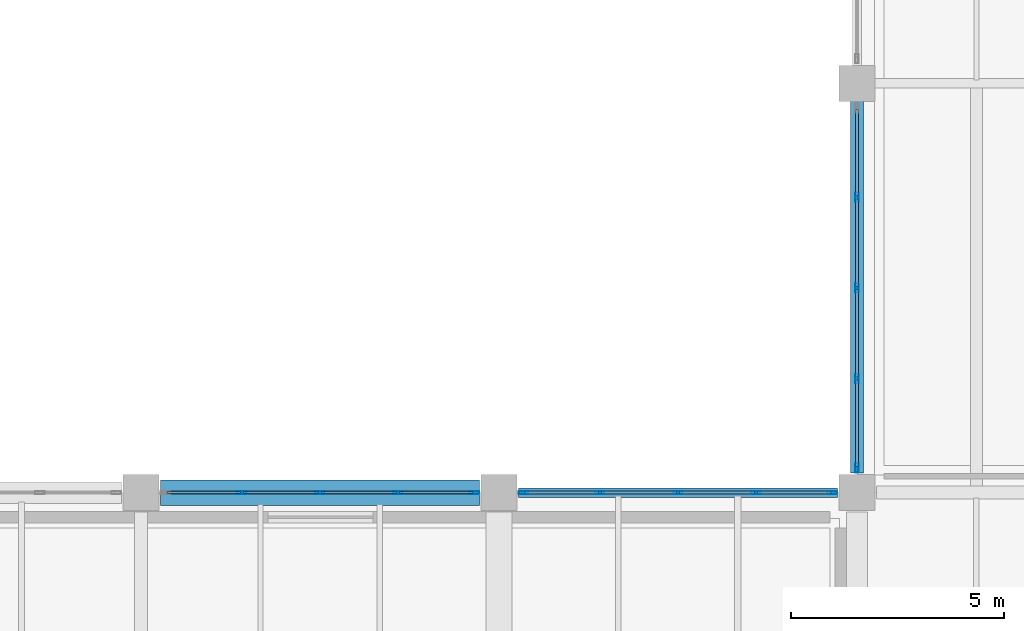
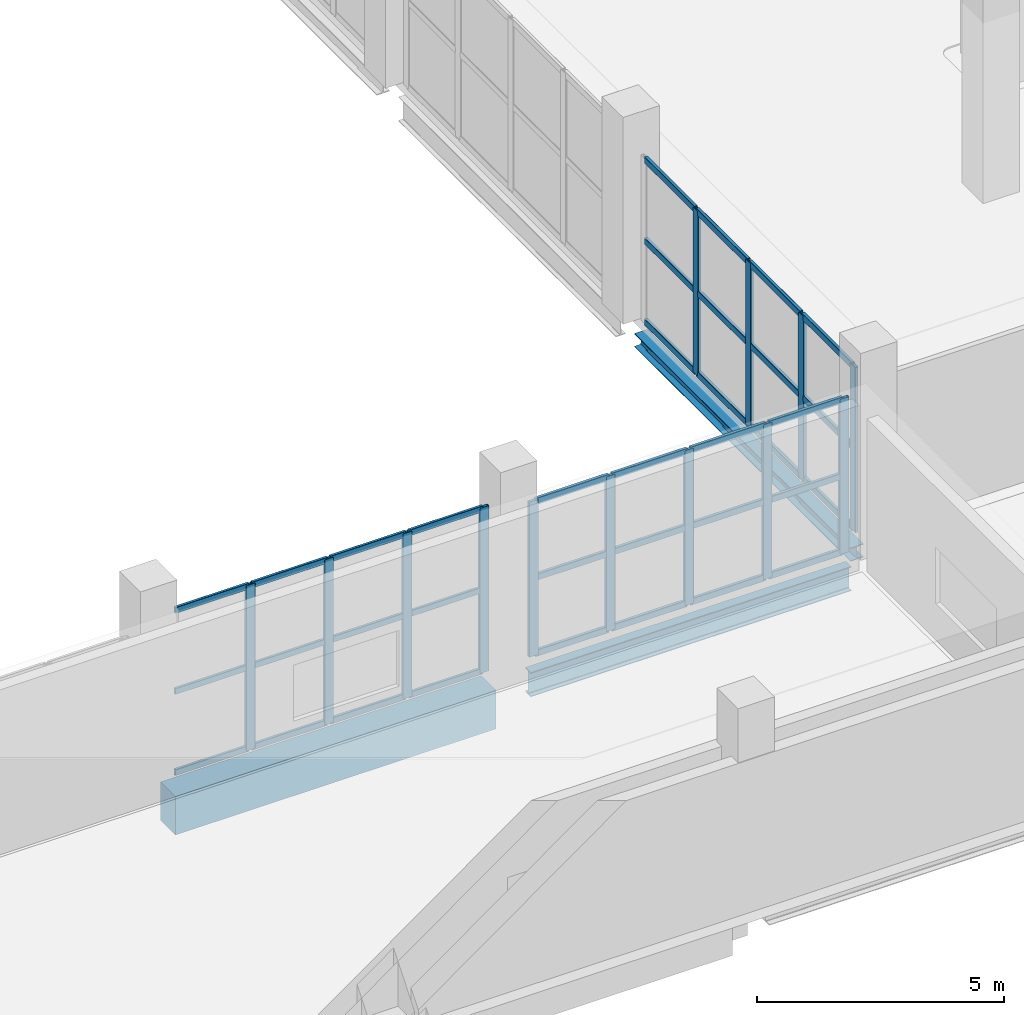
# One storey, part 30 of 66: 49 members, 3 beams, 3 elements without a shape of their own.
"""IFC4 building model written with IfcOpenShell, lengths in metres."""

from ifc_helpers import new_model, si_unit, direction, frame, origin, origin_2d, place, context, subcontext, project, spatial, rectangle, hollow_rectangle, i_section, extrude, material, layer, layer_set, material_profile, profile_set, type_object, element, aggregate, save


model = new_model("IFC4")

# Units and contexts
model_context = context("Model", 3, precision=1e-05, world=origin(), true_north=direction((0.0, 1.0)))
body_context = subcontext(model_context, "Body", "Model", "MODEL_VIEW")
ifc_project = project(units=[si_unit("LENGTHUNIT", "METRE"), si_unit("AREAUNIT", "SQUARE_METRE"), si_unit("VOLUMEUNIT", "CUBIC_METRE"), si_unit("PLANEANGLEUNIT", "RADIAN"), si_unit("MASSUNIT", "GRAM", prefix="KILO")], contexts=[model_context])

# Site, building, storey
site_placement = place(None, origin())
site = spatial("IfcSite", under=ifc_project, at=site_placement, CompositionType="ELEMENT")
building_placement = place(site_placement, origin())
building = spatial("IfcBuilding", under=site, at=building_placement, Name="Zulmaris Art Gallery", CompositionType="ELEMENT")
storey_placement = place(building_placement, frame((0.0, 0.0, 5.39990234375)))
storey = spatial("IfcBuildingStorey", under=building, at=storey_placement, Name="L01", CompositionType="ELEMENT", Elevation=5.39990234375)

# Beams
ifc_material_1 = material(Name="Steel S355J2", Category="steel")
ifc_material_profile_1 = material_profile(ifc_material_1, i_section(OverallWidth=0.219970703125, OverallDepth=0.60009765625, WebThickness=0.011962890625, FlangeThickness=0.01904296875, FilletRadius=0.02392578125, at=origin_2d()), Name="IPE 600")
ifc_profile_set_1 = profile_set([ifc_material_profile_1], Name="Steel S355J2")
beam_type_1 = type_object("IfcBeamType", Name="BEAM-BM07", PredefinedType="BEAM", material=ifc_profile_set_1)
beam_1_placement = place(storey_placement, frame((175.659912109375, 31.199951171875, -0.6298828125), z_axis=(1.0, 0.0, 0.0), x_axis=(0.0, 1.0, 0.0)))
element("IfcBeam", 1, at=beam_1_placement, inside=storey, type_object=beam_type_1, Name="L01 X-girder (175.2..183.6, y=31.2)", PredefinedType="BEAM", context=body_context, shape_type="SweptSolid", body=[
    extrude(i_section(OverallWidth=0.219970703125, OverallDepth=0.60009765625, WebThickness=0.011962890625, FlangeThickness=0.01904296875, FilletRadius=0.02392578125, at=origin_2d()), origin(), (0.0, 0.0, 1.0), 7.47998046875),
])
ifc_material_profile_2 = material_profile(ifc_material_1, i_section(OverallWidth=0.300048828125, OverallDepth=0.330078125, WebThickness=0.009521484375, FlangeThickness=0.0166015625, FilletRadius=0.027099609375, at=origin_2d()), Name="HEA 340")
ifc_profile_set_2 = profile_set([ifc_material_profile_2], Name="Steel S355J2")
beam_type_2 = type_object("IfcBeamType", Name="BEAM-BM08", PredefinedType="BEAM", material=ifc_profile_set_2)
beam_2_placement = place(storey_placement, frame((183.60009765625, 31.659912109375, -0.494873046875), z_axis=(0.0, 1.0, 0.0), x_axis=(-1.0, 0.0, 0.0)))
element("IfcBeam", 2, at=beam_2_placement, inside=storey, type_object=beam_type_2, Name="L01 Y-girder (x=183.6, 31.2..40.8)", PredefinedType="BEAM", context=body_context, shape_type="SweptSolid", body=[
    extrude(i_section(OverallWidth=0.300048828125, OverallDepth=0.330078125, WebThickness=0.009521484375, FlangeThickness=0.0166015625, FilletRadius=0.027099609375, at=origin_2d()), origin(), (0.0, 0.0, 1.0), 8.72998046875),
])
ifc_material_2 = material(Name="Concrete C40/50", Category="concrete")
ifc_material_profile_3 = material_profile(ifc_material_2, rectangle(XDim=0.60009765625, YDim=0.949951171875, at=origin_2d()), Name="RC 600x950")
ifc_profile_set_3 = profile_set([ifc_material_profile_3], Name="Concrete C40/50")
beam_type_3 = type_object("IfcBeamType", Name="BEAM-BM22", PredefinedType="BEAM", material=ifc_profile_set_3)
beam_3_placement = place(storey_placement, frame((167.260009765625, 31.199951171875, -0.804931640625), z_axis=(1.0, 0.0, 0.0), x_axis=(0.0, 1.0, 0.0)))
element("IfcBeam", 3, at=beam_3_placement, inside=storey, type_object=beam_type_3, Name="L01 X-girder (166.8..175.2, y=31.2)", PredefinedType="BEAM", context=body_context, shape_type="SweptSolid", body=[
    extrude(rectangle(XDim=0.60009765625, YDim=0.949951171875, at=origin_2d()), origin(), (0.0, 0.0, 1.0), 7.47998046875),
])

# Curtain wall, members
ifc_material_3 = material(Name="Courtyard Artists Studio Curtain Wall", Category="aluminium")
ifc_layer = layer(ifc_material_3, 0.179931640625)
ifc_layer_set = layer_set([ifc_layer], Name="Courtyard Artists Studio Curtain Wall")
curtain_wall_type = type_object("IfcCurtainWallType", Name="CW-CW04", PredefinedType="NOTDEFINED", material=ifc_layer_set)
curtain_wall_1_placement = place(storey_placement, origin())
curtain_wall_1 = element("IfcCurtainWall", 4, at=curtain_wall_1_placement, inside=storey, type_object=curtain_wall_type, Name="L01 curtain wall 124", PredefinedType="NOTDEFINED")
ifc_material_4 = material(Name="Anodised Bronze Aluminium", Category="aluminium")
ifc_material_profile_4 = material_profile(ifc_material_4, hollow_rectangle(XDim=0.074951171875, YDim=0.219970703125, WallThickness=0.0048828125, InnerFilletRadius=0.007568359375, OuterFilletRadius=0.012451171875, at=origin_2d()), Name="ALU 75x220x5")
ifc_profile_set_4 = profile_set([ifc_material_profile_4], Name="Anodised Bronze Aluminium")
member_type_1 = type_object("IfcMemberType", Name="CWMUL-02", PredefinedType="MULLION", material=ifc_profile_set_4)
member_1_placement = place(storey_placement, frame((183.60009765625, 38.1298828125, 0.0), z_axis=(0.0, 0.0, 1.0), x_axis=(1.0, 0.0, 0.0)))
member_1 = element("IfcMember", 5, at=member_1_placement, type_object=member_type_1, Name="CW04 mullion 2", PredefinedType="MULLION", context=body_context, shape_type="SweptSolid", body=[
    extrude(hollow_rectangle(XDim=0.074951171875, YDim=0.219970703125, WallThickness=0.0048828125, InnerFilletRadius=0.007568359375, OuterFilletRadius=0.012451171875, at=origin_2d()), origin(), (0.0, 0.0, 1.0), 4.070068359375),
])
member_2_placement = place(storey_placement, frame((183.60009765625, 36.0, 0.0), z_axis=(0.0, 0.0, 1.0), x_axis=(1.0, 0.0, 0.0)))
member_2 = element("IfcMember", 6, at=member_2_placement, type_object=member_type_1, Name="CW04 mullion 3", PredefinedType="MULLION", context=body_context, shape_type="SweptSolid", body=[
    extrude(hollow_rectangle(XDim=0.074951171875, YDim=0.219970703125, WallThickness=0.0048828125, InnerFilletRadius=0.007568359375, OuterFilletRadius=0.012451171875, at=origin_2d()), origin(), (0.0, 0.0, 1.0), 4.070068359375),
])
member_3_placement = place(storey_placement, frame((183.60009765625, 33.8701171875, 0.0), z_axis=(0.0, 0.0, 1.0), x_axis=(1.0, 0.0, 0.0)))
member_3 = element("IfcMember", 7, at=member_3_placement, type_object=member_type_1, Name="CW04 mullion 4", PredefinedType="MULLION", context=body_context, shape_type="SweptSolid", body=[
    extrude(hollow_rectangle(XDim=0.074951171875, YDim=0.219970703125, WallThickness=0.0048828125, InnerFilletRadius=0.007568359375, OuterFilletRadius=0.012451171875, at=origin_2d()), origin(), (0.0, 0.0, 1.0), 4.070068359375),
])
member_4_placement = place(storey_placement, frame((183.60009765625, 31.777587890625, 0.0), z_axis=(0.0, 0.0, 1.0), x_axis=(1.0, 0.0, 0.0)))
member_4 = element("IfcMember", 8, at=member_4_placement, type_object=member_type_1, Name="CW04 mullion 5", PredefinedType="MULLION", context=body_context, shape_type="SweptSolid", body=[
    extrude(hollow_rectangle(XDim=0.074951171875, YDim=0.219970703125, WallThickness=0.0048828125, InnerFilletRadius=0.007568359375, OuterFilletRadius=0.012451171875, at=origin_2d()), origin(), (0.0, 0.0, 1.0), 4.070068359375),
])

curtain_wall_2_placement = place(storey_placement, origin())
curtain_wall_2 = element("IfcCurtainWall", 9, at=curtain_wall_2_placement, inside=storey, type_object=curtain_wall_type, Name="L01 curtain wall 132", PredefinedType="NOTDEFINED")
member_5_placement = place(storey_placement, frame((169.169921875, 31.199951171875, 0.0), z_axis=(0.0, 0.0, 1.0), x_axis=(0.0, 1.0, 0.0)))
member_5 = element("IfcMember", 10, at=member_5_placement, type_object=member_type_1, Name="CW04 mullion 2", PredefinedType="MULLION", context=body_context, shape_type="SweptSolid", body=[
    extrude(hollow_rectangle(XDim=0.074951171875, YDim=0.219970703125, WallThickness=0.0048828125, InnerFilletRadius=0.007568359375, OuterFilletRadius=0.012451171875, at=origin_2d()), origin(), (0.0, 0.0, 1.0), 4.0751953125),
])
member_6_placement = place(storey_placement, frame((171.0, 31.199951171875, 0.0), z_axis=(0.0, 0.0, 1.0), x_axis=(0.0, 1.0, 0.0)))
member_6 = element("IfcMember", 11, at=member_6_placement, type_object=member_type_1, Name="CW04 mullion 3", PredefinedType="MULLION", context=body_context, shape_type="SweptSolid", body=[
    extrude(hollow_rectangle(XDim=0.074951171875, YDim=0.219970703125, WallThickness=0.0048828125, InnerFilletRadius=0.007568359375, OuterFilletRadius=0.012451171875, at=origin_2d()), origin(), (0.0, 0.0, 1.0), 4.0751953125),
])
member_7_placement = place(storey_placement, frame((172.830078125, 31.199951171875, 0.0), z_axis=(0.0, 0.0, 1.0), x_axis=(0.0, 1.0, 0.0)))
member_7 = element("IfcMember", 12, at=member_7_placement, type_object=member_type_1, Name="CW04 mullion 4", PredefinedType="MULLION", context=body_context, shape_type="SweptSolid", body=[
    extrude(hollow_rectangle(XDim=0.074951171875, YDim=0.219970703125, WallThickness=0.0048828125, InnerFilletRadius=0.007568359375, OuterFilletRadius=0.012451171875, at=origin_2d()), origin(), (0.0, 0.0, 1.0), 4.0751953125),
])
member_8_placement = place(storey_placement, frame((174.62255859375, 31.199951171875, 0.0), z_axis=(0.0, 0.0, 1.0), x_axis=(0.0, 1.0, 0.0)))
member_8 = element("IfcMember", 13, at=member_8_placement, type_object=member_type_1, Name="CW04 mullion 5", PredefinedType="MULLION", context=body_context, shape_type="SweptSolid", body=[
    extrude(hollow_rectangle(XDim=0.074951171875, YDim=0.219970703125, WallThickness=0.0048828125, InnerFilletRadius=0.007568359375, OuterFilletRadius=0.012451171875, at=origin_2d()), origin(), (0.0, 0.0, 1.0), 4.0751953125),
])

curtain_wall_3_placement = place(storey_placement, origin())
curtain_wall_3 = element("IfcCurtainWall", 14, at=curtain_wall_3_placement, inside=storey, type_object=curtain_wall_type, Name="L01 curtain wall 134", PredefinedType="NOTDEFINED")
member_9_placement = place(storey_placement, frame((175.777587890625, 31.199951171875, 0.0), z_axis=(0.0, 0.0, 1.0), x_axis=(0.0, 1.0, 0.0)))
member_9 = element("IfcMember", 15, at=member_9_placement, type_object=member_type_1, Name="CW04 mullion 1", PredefinedType="MULLION", context=body_context, shape_type="SweptSolid", body=[
    extrude(hollow_rectangle(XDim=0.074951171875, YDim=0.219970703125, WallThickness=0.0048828125, InnerFilletRadius=0.007568359375, OuterFilletRadius=0.012451171875, at=origin_2d()), origin(), (0.0, 0.0, 1.0), 3.820068359375),
])
member_10_placement = place(storey_placement, frame((177.570068359375, 31.199951171875, 0.0), z_axis=(0.0, 0.0, 1.0), x_axis=(0.0, 1.0, 0.0)))
member_10 = element("IfcMember", 16, at=member_10_placement, type_object=member_type_1, Name="CW04 mullion 2", PredefinedType="MULLION", context=body_context, shape_type="SweptSolid", body=[
    extrude(hollow_rectangle(XDim=0.074951171875, YDim=0.219970703125, WallThickness=0.0048828125, InnerFilletRadius=0.007568359375, OuterFilletRadius=0.012451171875, at=origin_2d()), origin(), (0.0, 0.0, 1.0), 3.820068359375),
])
member_11_placement = place(storey_placement, frame((179.39990234375, 31.199951171875, 0.0), z_axis=(0.0, 0.0, 1.0), x_axis=(0.0, 1.0, 0.0)))
member_11 = element("IfcMember", 17, at=member_11_placement, type_object=member_type_1, Name="CW04 mullion 3", PredefinedType="MULLION", context=body_context, shape_type="SweptSolid", body=[
    extrude(hollow_rectangle(XDim=0.074951171875, YDim=0.219970703125, WallThickness=0.0048828125, InnerFilletRadius=0.007568359375, OuterFilletRadius=0.012451171875, at=origin_2d()), origin(), (0.0, 0.0, 1.0), 3.820068359375),
])
member_12_placement = place(storey_placement, frame((181.22998046875, 31.199951171875, 0.0), z_axis=(0.0, 0.0, 1.0), x_axis=(0.0, 1.0, 0.0)))
member_12 = element("IfcMember", 18, at=member_12_placement, type_object=member_type_1, Name="CW04 mullion 4", PredefinedType="MULLION", context=body_context, shape_type="SweptSolid", body=[
    extrude(hollow_rectangle(XDim=0.074951171875, YDim=0.219970703125, WallThickness=0.0048828125, InnerFilletRadius=0.007568359375, OuterFilletRadius=0.012451171875, at=origin_2d()), origin(), (0.0, 0.0, 1.0), 3.820068359375),
])
member_13_placement = place(storey_placement, frame((183.0224609375, 31.199951171875, 0.0), z_axis=(0.0, 0.0, 1.0), x_axis=(0.0, 1.0, 0.0)))
member_13 = element("IfcMember", 19, at=member_13_placement, type_object=member_type_1, Name="CW04 mullion 5", PredefinedType="MULLION", context=body_context, shape_type="SweptSolid", body=[
    extrude(hollow_rectangle(XDim=0.074951171875, YDim=0.219970703125, WallThickness=0.0048828125, InnerFilletRadius=0.007568359375, OuterFilletRadius=0.012451171875, at=origin_2d()), origin(), (0.0, 0.0, 1.0), 3.820068359375),
])

# Member
ifc_material_profile_5 = material_profile(ifc_material_4, hollow_rectangle(XDim=0.06494140625, YDim=0.14990234375, WallThickness=0.00390625, InnerFilletRadius=0.006103515625, OuterFilletRadius=0.010009765625, at=origin_2d()), Name="ALU 65x150x4")
ifc_profile_set_5 = profile_set([ifc_material_profile_5], Name="Anodised Bronze Aluminium")
member_type_2 = type_object("IfcMemberType", Name="CWTRN-01", PredefinedType="USERDEFINED", material=ifc_profile_set_5)
member_14_placement = place(storey_placement, frame((167.4150390625, 31.199951171875, 0.03759765625), z_axis=(1.0, 0.0, 0.0), x_axis=(0.0, 1.0, 0.0)))
member_14 = element("IfcMember", 20, at=member_14_placement, type_object=member_type_2, Name="CW04 transom 1.1", ObjectType="TRANSOM", PredefinedType="USERDEFINED", context=body_context, shape_type="SweptSolid", body=[
    extrude(hollow_rectangle(XDim=0.06494140625, YDim=0.14990234375, WallThickness=0.00390625, InnerFilletRadius=0.006103515625, OuterFilletRadius=0.010009765625, at=origin_2d()), origin(), (0.0, 0.0, 1.0), 1.717529296875),
])

member_15_placement = place(storey_placement, frame((167.4150390625, 31.199951171875, 2.03759765625), z_axis=(1.0, 0.0, 0.0), x_axis=(0.0, 1.0, 0.0)))
member_15 = element("IfcMember", 21, at=member_15_placement, type_object=member_type_2, Name="CW04 transom 1.2", ObjectType="TRANSOM", PredefinedType="USERDEFINED", context=body_context, shape_type="SweptSolid", body=[
    extrude(hollow_rectangle(XDim=0.06494140625, YDim=0.14990234375, WallThickness=0.00390625, InnerFilletRadius=0.006103515625, OuterFilletRadius=0.010009765625, at=origin_2d()), origin(), (0.0, 0.0, 1.0), 1.717529296875),
])

member_16_placement = place(storey_placement, frame((167.4150390625, 31.199951171875, 4.03759765625), z_axis=(1.0, 0.0, 0.0), x_axis=(0.0, 1.0, 0.0)))
member_16 = element("IfcMember", 22, at=member_16_placement, type_object=member_type_2, Name="CW04 transom 1.3", ObjectType="TRANSOM", PredefinedType="USERDEFINED", context=body_context, shape_type="SweptSolid", body=[
    extrude(hollow_rectangle(XDim=0.06494140625, YDim=0.14990234375, WallThickness=0.00390625, InnerFilletRadius=0.006103515625, OuterFilletRadius=0.010009765625, at=origin_2d()), origin(), (0.0, 0.0, 1.0), 1.717529296875),
])

member_17_placement = place(storey_placement, frame((169.20751953125, 31.199951171875, 0.03759765625), z_axis=(1.0, 0.0, 0.0), x_axis=(0.0, 1.0, 0.0)))
member_17 = element("IfcMember", 23, at=member_17_placement, type_object=member_type_2, Name="CW04 transom 2.1", ObjectType="TRANSOM", PredefinedType="USERDEFINED", context=body_context, shape_type="SweptSolid", body=[
    extrude(hollow_rectangle(XDim=0.06494140625, YDim=0.14990234375, WallThickness=0.00390625, InnerFilletRadius=0.006103515625, OuterFilletRadius=0.010009765625, at=origin_2d()), origin(), (0.0, 0.0, 1.0), 1.7548828125),
])

member_18_placement = place(storey_placement, frame((169.20751953125, 31.199951171875, 2.03759765625), z_axis=(1.0, 0.0, 0.0), x_axis=(0.0, 1.0, 0.0)))
member_18 = element("IfcMember", 24, at=member_18_placement, type_object=member_type_2, Name="CW04 transom 2.2", ObjectType="TRANSOM", PredefinedType="USERDEFINED", context=body_context, shape_type="SweptSolid", body=[
    extrude(hollow_rectangle(XDim=0.06494140625, YDim=0.14990234375, WallThickness=0.00390625, InnerFilletRadius=0.006103515625, OuterFilletRadius=0.010009765625, at=origin_2d()), origin(), (0.0, 0.0, 1.0), 1.7548828125),
])

member_19_placement = place(storey_placement, frame((169.20751953125, 31.199951171875, 4.03759765625), z_axis=(1.0, 0.0, 0.0), x_axis=(0.0, 1.0, 0.0)))
member_19 = element("IfcMember", 25, at=member_19_placement, type_object=member_type_2, Name="CW04 transom 2.3", ObjectType="TRANSOM", PredefinedType="USERDEFINED", context=body_context, shape_type="SweptSolid", body=[
    extrude(hollow_rectangle(XDim=0.06494140625, YDim=0.14990234375, WallThickness=0.00390625, InnerFilletRadius=0.006103515625, OuterFilletRadius=0.010009765625, at=origin_2d()), origin(), (0.0, 0.0, 1.0), 1.7548828125),
])

member_20_placement = place(storey_placement, frame((171.03759765625, 31.199951171875, 0.03759765625), z_axis=(1.0, 0.0, 0.0), x_axis=(0.0, 1.0, 0.0)))
member_20 = element("IfcMember", 26, at=member_20_placement, type_object=member_type_2, Name="CW04 transom 3.1", ObjectType="TRANSOM", PredefinedType="USERDEFINED", context=body_context, shape_type="SweptSolid", body=[
    extrude(hollow_rectangle(XDim=0.06494140625, YDim=0.14990234375, WallThickness=0.00390625, InnerFilletRadius=0.006103515625, OuterFilletRadius=0.010009765625, at=origin_2d()), origin(), (0.0, 0.0, 1.0), 1.7548828125),
])

member_21_placement = place(storey_placement, frame((171.03759765625, 31.199951171875, 2.03759765625), z_axis=(1.0, 0.0, 0.0), x_axis=(0.0, 1.0, 0.0)))
member_21 = element("IfcMember", 27, at=member_21_placement, type_object=member_type_2, Name="CW04 transom 3.2", ObjectType="TRANSOM", PredefinedType="USERDEFINED", context=body_context, shape_type="SweptSolid", body=[
    extrude(hollow_rectangle(XDim=0.06494140625, YDim=0.14990234375, WallThickness=0.00390625, InnerFilletRadius=0.006103515625, OuterFilletRadius=0.010009765625, at=origin_2d()), origin(), (0.0, 0.0, 1.0), 1.7548828125),
])

member_22_placement = place(storey_placement, frame((171.03759765625, 31.199951171875, 4.03759765625), z_axis=(1.0, 0.0, 0.0), x_axis=(0.0, 1.0, 0.0)))
member_22 = element("IfcMember", 28, at=member_22_placement, type_object=member_type_2, Name="CW04 transom 3.3", ObjectType="TRANSOM", PredefinedType="USERDEFINED", context=body_context, shape_type="SweptSolid", body=[
    extrude(hollow_rectangle(XDim=0.06494140625, YDim=0.14990234375, WallThickness=0.00390625, InnerFilletRadius=0.006103515625, OuterFilletRadius=0.010009765625, at=origin_2d()), origin(), (0.0, 0.0, 1.0), 1.7548828125),
])

member_23_placement = place(storey_placement, frame((172.867431640625, 31.199951171875, 0.03759765625), z_axis=(1.0, 0.0, 0.0), x_axis=(0.0, 1.0, 0.0)))
member_23 = element("IfcMember", 29, at=member_23_placement, type_object=member_type_2, Name="CW04 transom 4.1", ObjectType="TRANSOM", PredefinedType="USERDEFINED", context=body_context, shape_type="SweptSolid", body=[
    extrude(hollow_rectangle(XDim=0.06494140625, YDim=0.14990234375, WallThickness=0.00390625, InnerFilletRadius=0.006103515625, OuterFilletRadius=0.010009765625, at=origin_2d()), origin(), (0.0, 0.0, 1.0), 1.717529296875),
])

member_24_placement = place(storey_placement, frame((172.867431640625, 31.199951171875, 2.03759765625), z_axis=(1.0, 0.0, 0.0), x_axis=(0.0, 1.0, 0.0)))
member_24 = element("IfcMember", 30, at=member_24_placement, type_object=member_type_2, Name="CW04 transom 4.2", ObjectType="TRANSOM", PredefinedType="USERDEFINED", context=body_context, shape_type="SweptSolid", body=[
    extrude(hollow_rectangle(XDim=0.06494140625, YDim=0.14990234375, WallThickness=0.00390625, InnerFilletRadius=0.006103515625, OuterFilletRadius=0.010009765625, at=origin_2d()), origin(), (0.0, 0.0, 1.0), 1.717529296875),
])

member_25_placement = place(storey_placement, frame((172.867431640625, 31.199951171875, 4.03759765625), z_axis=(1.0, 0.0, 0.0), x_axis=(0.0, 1.0, 0.0)))
member_25 = element("IfcMember", 31, at=member_25_placement, type_object=member_type_2, Name="CW04 transom 4.3", ObjectType="TRANSOM", PredefinedType="USERDEFINED", context=body_context, shape_type="SweptSolid", body=[
    extrude(hollow_rectangle(XDim=0.06494140625, YDim=0.14990234375, WallThickness=0.00390625, InnerFilletRadius=0.006103515625, OuterFilletRadius=0.010009765625, at=origin_2d()), origin(), (0.0, 0.0, 1.0), 1.717529296875),
])

aggregate(curtain_wall_2, [member_5, member_6, member_7, member_8, member_14, member_15, member_16, member_17, member_18, member_19, member_20, member_21, member_22, member_23, member_24, member_25])

ifc_material_profile_6 = material_profile(ifc_material_4, hollow_rectangle(XDim=0.074951171875, YDim=0.159912109375, WallThickness=0.00390625, InnerFilletRadius=0.006103515625, OuterFilletRadius=0.010009765625, at=origin_2d()), Name="ALU 75x160x4")
ifc_profile_set_6 = profile_set([ifc_material_profile_6], Name="Anodised Bronze Aluminium")
member_type_3 = type_object("IfcMemberType", Name="CWTRN-02", PredefinedType="USERDEFINED", material=ifc_profile_set_6)
member_26_placement = place(storey_placement, frame((183.60009765625, 40.18505859375, 0.03759765625), z_axis=(0.0, -1.0, 0.0), x_axis=(1.0, 0.0, 0.0)))
member_26 = element("IfcMember", 32, at=member_26_placement, type_object=member_type_3, Name="CW04 transom 1.1", ObjectType="TRANSOM", PredefinedType="USERDEFINED", context=body_context, shape_type="SweptSolid", body=[
    extrude(hollow_rectangle(XDim=0.074951171875, YDim=0.159912109375, WallThickness=0.00390625, InnerFilletRadius=0.006103515625, OuterFilletRadius=0.010009765625, at=origin_2d()), origin(), (0.0, 0.0, 1.0), 2.017578125),
])

member_27_placement = place(storey_placement, frame((183.60009765625, 40.18505859375, 2.03515625), z_axis=(0.0, -1.0, 0.0), x_axis=(1.0, 0.0, 0.0)))
member_27 = element("IfcMember", 33, at=member_27_placement, type_object=member_type_3, Name="CW04 transom 1.2", ObjectType="TRANSOM", PredefinedType="USERDEFINED", context=body_context, shape_type="SweptSolid", body=[
    extrude(hollow_rectangle(XDim=0.074951171875, YDim=0.159912109375, WallThickness=0.00390625, InnerFilletRadius=0.006103515625, OuterFilletRadius=0.010009765625, at=origin_2d()), origin(), (0.0, 0.0, 1.0), 2.017578125),
])

member_28_placement = place(storey_placement, frame((183.60009765625, 40.18505859375, 4.03271484375), z_axis=(0.0, -1.0, 0.0), x_axis=(1.0, 0.0, 0.0)))
member_28 = element("IfcMember", 34, at=member_28_placement, type_object=member_type_3, Name="CW04 transom 1.3", ObjectType="TRANSOM", PredefinedType="USERDEFINED", context=body_context, shape_type="SweptSolid", body=[
    extrude(hollow_rectangle(XDim=0.074951171875, YDim=0.159912109375, WallThickness=0.00390625, InnerFilletRadius=0.006103515625, OuterFilletRadius=0.010009765625, at=origin_2d()), origin(), (0.0, 0.0, 1.0), 2.017578125),
])

member_29_placement = place(storey_placement, frame((183.60009765625, 38.092529296875, 0.03759765625), z_axis=(0.0, -1.0, 0.0), x_axis=(1.0, 0.0, 0.0)))
member_29 = element("IfcMember", 35, at=member_29_placement, type_object=member_type_3, Name="CW04 transom 2.1", ObjectType="TRANSOM", PredefinedType="USERDEFINED", context=body_context, shape_type="SweptSolid", body=[
    extrude(hollow_rectangle(XDim=0.074951171875, YDim=0.159912109375, WallThickness=0.00390625, InnerFilletRadius=0.006103515625, OuterFilletRadius=0.010009765625, at=origin_2d()), origin(), (0.0, 0.0, 1.0), 2.054931640625),
])

member_30_placement = place(storey_placement, frame((183.60009765625, 38.092529296875, 2.03515625), z_axis=(0.0, -1.0, 0.0), x_axis=(1.0, 0.0, 0.0)))
member_30 = element("IfcMember", 36, at=member_30_placement, type_object=member_type_3, Name="CW04 transom 2.2", ObjectType="TRANSOM", PredefinedType="USERDEFINED", context=body_context, shape_type="SweptSolid", body=[
    extrude(hollow_rectangle(XDim=0.074951171875, YDim=0.159912109375, WallThickness=0.00390625, InnerFilletRadius=0.006103515625, OuterFilletRadius=0.010009765625, at=origin_2d()), origin(), (0.0, 0.0, 1.0), 2.054931640625),
])

member_31_placement = place(storey_placement, frame((183.60009765625, 38.092529296875, 4.03271484375), z_axis=(0.0, -1.0, 0.0), x_axis=(1.0, 0.0, 0.0)))
member_31 = element("IfcMember", 37, at=member_31_placement, type_object=member_type_3, Name="CW04 transom 2.3", ObjectType="TRANSOM", PredefinedType="USERDEFINED", context=body_context, shape_type="SweptSolid", body=[
    extrude(hollow_rectangle(XDim=0.074951171875, YDim=0.159912109375, WallThickness=0.00390625, InnerFilletRadius=0.006103515625, OuterFilletRadius=0.010009765625, at=origin_2d()), origin(), (0.0, 0.0, 1.0), 2.054931640625),
])

member_32_placement = place(storey_placement, frame((183.60009765625, 35.96240234375, 0.03759765625), z_axis=(0.0, -1.0, 0.0), x_axis=(1.0, 0.0, 0.0)))
member_32 = element("IfcMember", 38, at=member_32_placement, type_object=member_type_3, Name="CW04 transom 3.1", ObjectType="TRANSOM", PredefinedType="USERDEFINED", context=body_context, shape_type="SweptSolid", body=[
    extrude(hollow_rectangle(XDim=0.074951171875, YDim=0.159912109375, WallThickness=0.00390625, InnerFilletRadius=0.006103515625, OuterFilletRadius=0.010009765625, at=origin_2d()), origin(), (0.0, 0.0, 1.0), 2.054931640625),
])

member_33_placement = place(storey_placement, frame((183.60009765625, 35.96240234375, 2.03515625), z_axis=(0.0, -1.0, 0.0), x_axis=(1.0, 0.0, 0.0)))
member_33 = element("IfcMember", 39, at=member_33_placement, type_object=member_type_3, Name="CW04 transom 3.2", ObjectType="TRANSOM", PredefinedType="USERDEFINED", context=body_context, shape_type="SweptSolid", body=[
    extrude(hollow_rectangle(XDim=0.074951171875, YDim=0.159912109375, WallThickness=0.00390625, InnerFilletRadius=0.006103515625, OuterFilletRadius=0.010009765625, at=origin_2d()), origin(), (0.0, 0.0, 1.0), 2.054931640625),
])

member_34_placement = place(storey_placement, frame((183.60009765625, 35.96240234375, 4.03271484375), z_axis=(0.0, -1.0, 0.0), x_axis=(1.0, 0.0, 0.0)))
member_34 = element("IfcMember", 40, at=member_34_placement, type_object=member_type_3, Name="CW04 transom 3.3", ObjectType="TRANSOM", PredefinedType="USERDEFINED", context=body_context, shape_type="SweptSolid", body=[
    extrude(hollow_rectangle(XDim=0.074951171875, YDim=0.159912109375, WallThickness=0.00390625, InnerFilletRadius=0.006103515625, OuterFilletRadius=0.010009765625, at=origin_2d()), origin(), (0.0, 0.0, 1.0), 2.054931640625),
])

member_35_placement = place(storey_placement, frame((183.60009765625, 33.83251953125, 0.03759765625), z_axis=(0.0, -1.0, 0.0), x_axis=(1.0, 0.0, 0.0)))
member_35 = element("IfcMember", 41, at=member_35_placement, type_object=member_type_3, Name="CW04 transom 4.1", ObjectType="TRANSOM", PredefinedType="USERDEFINED", context=body_context, shape_type="SweptSolid", body=[
    extrude(hollow_rectangle(XDim=0.074951171875, YDim=0.159912109375, WallThickness=0.00390625, InnerFilletRadius=0.006103515625, OuterFilletRadius=0.010009765625, at=origin_2d()), origin(), (0.0, 0.0, 1.0), 2.017578125),
])

member_36_placement = place(storey_placement, frame((183.60009765625, 33.83251953125, 2.03515625), z_axis=(0.0, -1.0, 0.0), x_axis=(1.0, 0.0, 0.0)))
member_36 = element("IfcMember", 42, at=member_36_placement, type_object=member_type_3, Name="CW04 transom 4.2", ObjectType="TRANSOM", PredefinedType="USERDEFINED", context=body_context, shape_type="SweptSolid", body=[
    extrude(hollow_rectangle(XDim=0.074951171875, YDim=0.159912109375, WallThickness=0.00390625, InnerFilletRadius=0.006103515625, OuterFilletRadius=0.010009765625, at=origin_2d()), origin(), (0.0, 0.0, 1.0), 2.017578125),
])

member_37_placement = place(storey_placement, frame((183.60009765625, 33.83251953125, 4.03271484375), z_axis=(0.0, -1.0, 0.0), x_axis=(1.0, 0.0, 0.0)))
member_37 = element("IfcMember", 43, at=member_37_placement, type_object=member_type_3, Name="CW04 transom 4.3", ObjectType="TRANSOM", PredefinedType="USERDEFINED", context=body_context, shape_type="SweptSolid", body=[
    extrude(hollow_rectangle(XDim=0.074951171875, YDim=0.159912109375, WallThickness=0.00390625, InnerFilletRadius=0.006103515625, OuterFilletRadius=0.010009765625, at=origin_2d()), origin(), (0.0, 0.0, 1.0), 2.017578125),
])

aggregate(curtain_wall_1, [member_1, member_2, member_3, member_4, member_26, member_27, member_28, member_29, member_30, member_31, member_32, member_33, member_34, member_35, member_36, member_37])

member_38_placement = place(storey_placement, frame((175.81494140625, 31.199951171875, 0.03759765625), z_axis=(1.0, 0.0, 0.0), x_axis=(0.0, 1.0, 0.0)))
member_38 = element("IfcMember", 44, at=member_38_placement, type_object=member_type_3, Name="CW04 transom 1.1", ObjectType="TRANSOM", PredefinedType="USERDEFINED", context=body_context, shape_type="SweptSolid", body=[
    extrude(hollow_rectangle(XDim=0.074951171875, YDim=0.159912109375, WallThickness=0.00390625, InnerFilletRadius=0.006103515625, OuterFilletRadius=0.010009765625, at=origin_2d()), origin(), (0.0, 0.0, 1.0), 1.717529296875),
])

member_39_placement = place(storey_placement, frame((175.81494140625, 31.199951171875, 1.91015625), z_axis=(1.0, 0.0, 0.0), x_axis=(0.0, 1.0, 0.0)))
member_39 = element("IfcMember", 45, at=member_39_placement, type_object=member_type_3, Name="CW04 transom 1.2", ObjectType="TRANSOM", PredefinedType="USERDEFINED", context=body_context, shape_type="SweptSolid", body=[
    extrude(hollow_rectangle(XDim=0.074951171875, YDim=0.159912109375, WallThickness=0.00390625, InnerFilletRadius=0.006103515625, OuterFilletRadius=0.010009765625, at=origin_2d()), origin(), (0.0, 0.0, 1.0), 1.717529296875),
])

member_40_placement = place(storey_placement, frame((175.81494140625, 31.199951171875, 3.78271484375), z_axis=(1.0, 0.0, 0.0), x_axis=(0.0, 1.0, 0.0)))
member_40 = element("IfcMember", 46, at=member_40_placement, type_object=member_type_3, Name="CW04 transom 1.3", ObjectType="TRANSOM", PredefinedType="USERDEFINED", context=body_context, shape_type="SweptSolid", body=[
    extrude(hollow_rectangle(XDim=0.074951171875, YDim=0.159912109375, WallThickness=0.00390625, InnerFilletRadius=0.006103515625, OuterFilletRadius=0.010009765625, at=origin_2d()), origin(), (0.0, 0.0, 1.0), 1.717529296875),
])

member_41_placement = place(storey_placement, frame((177.607421875, 31.199951171875, 0.03759765625), z_axis=(1.0, 0.0, 0.0), x_axis=(0.0, 1.0, 0.0)))
member_41 = element("IfcMember", 47, at=member_41_placement, type_object=member_type_3, Name="CW04 transom 2.1", ObjectType="TRANSOM", PredefinedType="USERDEFINED", context=body_context, shape_type="SweptSolid", body=[
    extrude(hollow_rectangle(XDim=0.074951171875, YDim=0.159912109375, WallThickness=0.00390625, InnerFilletRadius=0.006103515625, OuterFilletRadius=0.010009765625, at=origin_2d()), origin(), (0.0, 0.0, 1.0), 1.755126953125),
])

member_42_placement = place(storey_placement, frame((177.607421875, 31.199951171875, 1.91015625), z_axis=(1.0, 0.0, 0.0), x_axis=(0.0, 1.0, 0.0)))
member_42 = element("IfcMember", 48, at=member_42_placement, type_object=member_type_3, Name="CW04 transom 2.2", ObjectType="TRANSOM", PredefinedType="USERDEFINED", context=body_context, shape_type="SweptSolid", body=[
    extrude(hollow_rectangle(XDim=0.074951171875, YDim=0.159912109375, WallThickness=0.00390625, InnerFilletRadius=0.006103515625, OuterFilletRadius=0.010009765625, at=origin_2d()), origin(), (0.0, 0.0, 1.0), 1.755126953125),
])

member_43_placement = place(storey_placement, frame((177.607421875, 31.199951171875, 3.78271484375), z_axis=(1.0, 0.0, 0.0), x_axis=(0.0, 1.0, 0.0)))
member_43 = element("IfcMember", 49, at=member_43_placement, type_object=member_type_3, Name="CW04 transom 2.3", ObjectType="TRANSOM", PredefinedType="USERDEFINED", context=body_context, shape_type="SweptSolid", body=[
    extrude(hollow_rectangle(XDim=0.074951171875, YDim=0.159912109375, WallThickness=0.00390625, InnerFilletRadius=0.006103515625, OuterFilletRadius=0.010009765625, at=origin_2d()), origin(), (0.0, 0.0, 1.0), 1.755126953125),
])

member_44_placement = place(storey_placement, frame((179.4375, 31.199951171875, 0.03759765625), z_axis=(1.0, 0.0, 0.0), x_axis=(0.0, 1.0, 0.0)))
member_44 = element("IfcMember", 50, at=member_44_placement, type_object=member_type_3, Name="CW04 transom 3.1", ObjectType="TRANSOM", PredefinedType="USERDEFINED", context=body_context, shape_type="SweptSolid", body=[
    extrude(hollow_rectangle(XDim=0.074951171875, YDim=0.159912109375, WallThickness=0.00390625, InnerFilletRadius=0.006103515625, OuterFilletRadius=0.010009765625, at=origin_2d()), origin(), (0.0, 0.0, 1.0), 1.7548828125),
])

member_45_placement = place(storey_placement, frame((179.4375, 31.199951171875, 1.91015625), z_axis=(1.0, 0.0, 0.0), x_axis=(0.0, 1.0, 0.0)))
member_45 = element("IfcMember", 51, at=member_45_placement, type_object=member_type_3, Name="CW04 transom 3.2", ObjectType="TRANSOM", PredefinedType="USERDEFINED", context=body_context, shape_type="SweptSolid", body=[
    extrude(hollow_rectangle(XDim=0.074951171875, YDim=0.159912109375, WallThickness=0.00390625, InnerFilletRadius=0.006103515625, OuterFilletRadius=0.010009765625, at=origin_2d()), origin(), (0.0, 0.0, 1.0), 1.7548828125),
])

member_46_placement = place(storey_placement, frame((179.4375, 31.199951171875, 3.78271484375), z_axis=(1.0, 0.0, 0.0), x_axis=(0.0, 1.0, 0.0)))
member_46 = element("IfcMember", 52, at=member_46_placement, type_object=member_type_3, Name="CW04 transom 3.3", ObjectType="TRANSOM", PredefinedType="USERDEFINED", context=body_context, shape_type="SweptSolid", body=[
    extrude(hollow_rectangle(XDim=0.074951171875, YDim=0.159912109375, WallThickness=0.00390625, InnerFilletRadius=0.006103515625, OuterFilletRadius=0.010009765625, at=origin_2d()), origin(), (0.0, 0.0, 1.0), 1.7548828125),
])

member_47_placement = place(storey_placement, frame((181.267578125, 31.199951171875, 0.03759765625), z_axis=(1.0, 0.0, 0.0), x_axis=(0.0, 1.0, 0.0)))
member_47 = element("IfcMember", 53, at=member_47_placement, type_object=member_type_3, Name="CW04 transom 4.1", ObjectType="TRANSOM", PredefinedType="USERDEFINED", context=body_context, shape_type="SweptSolid", body=[
    extrude(hollow_rectangle(XDim=0.074951171875, YDim=0.159912109375, WallThickness=0.00390625, InnerFilletRadius=0.006103515625, OuterFilletRadius=0.010009765625, at=origin_2d()), origin(), (0.0, 0.0, 1.0), 1.717529296875),
])

member_48_placement = place(storey_placement, frame((181.267578125, 31.199951171875, 1.91015625), z_axis=(1.0, 0.0, 0.0), x_axis=(0.0, 1.0, 0.0)))
member_48 = element("IfcMember", 54, at=member_48_placement, type_object=member_type_3, Name="CW04 transom 4.2", ObjectType="TRANSOM", PredefinedType="USERDEFINED", context=body_context, shape_type="SweptSolid", body=[
    extrude(hollow_rectangle(XDim=0.074951171875, YDim=0.159912109375, WallThickness=0.00390625, InnerFilletRadius=0.006103515625, OuterFilletRadius=0.010009765625, at=origin_2d()), origin(), (0.0, 0.0, 1.0), 1.717529296875),
])

member_49_placement = place(storey_placement, frame((181.267578125, 31.199951171875, 3.78271484375), z_axis=(1.0, 0.0, 0.0), x_axis=(0.0, 1.0, 0.0)))
member_49 = element("IfcMember", 55, at=member_49_placement, type_object=member_type_3, Name="CW04 transom 4.3", ObjectType="TRANSOM", PredefinedType="USERDEFINED", context=body_context, shape_type="SweptSolid", body=[
    extrude(hollow_rectangle(XDim=0.074951171875, YDim=0.159912109375, WallThickness=0.00390625, InnerFilletRadius=0.006103515625, OuterFilletRadius=0.010009765625, at=origin_2d()), origin(), (0.0, 0.0, 1.0), 1.717529296875),
])

aggregate(curtain_wall_3, [member_9, member_10, member_11, member_12, member_13, member_38, member_39, member_40, member_41, member_42, member_43, member_44, member_45, member_46, member_47, member_48, member_49])

save(model, "model.ifc")
